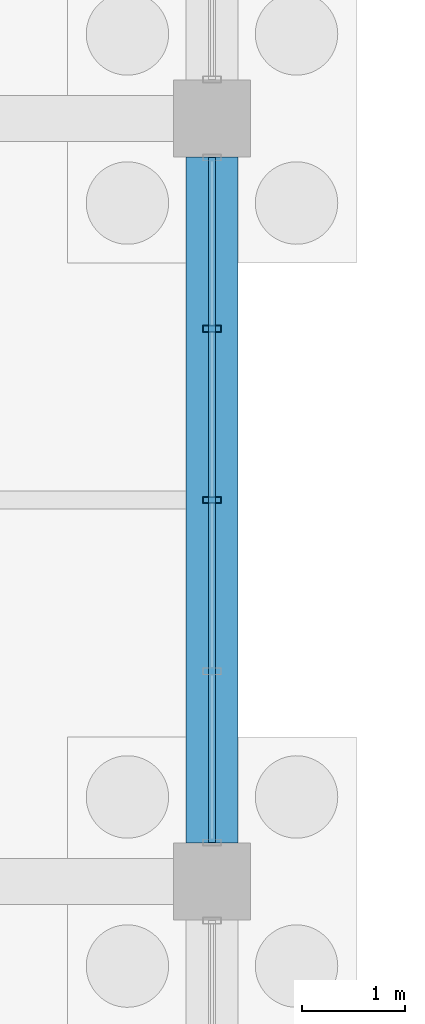
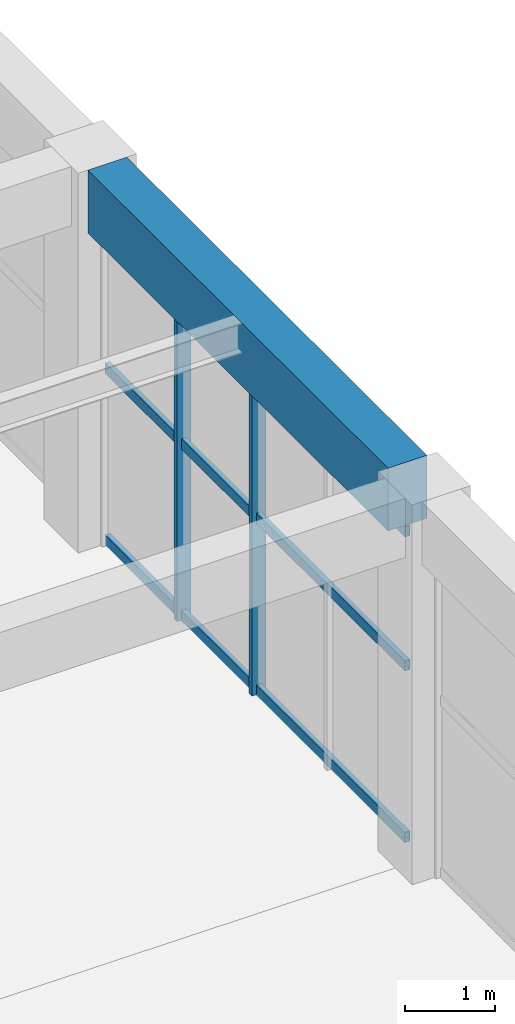
# One storey, part 64 of 140: 5 members, 1 beam, 1 element without a shape of its own.
"""IFC4 building model written with IfcOpenShell, lengths in metres."""

from ifc_helpers import new_model, si_unit, direction, frame, origin, origin_2d, place, context, subcontext, project, spatial, rectangle, hollow_rectangle, extrude, material, material_profile, profile_set, type_object, element, aggregate, save


model = new_model("IFC4")

# Units and contexts
model_context = context("Model", 3, precision=1e-05, world=origin(), true_north=direction((0.0, 1.0)))
body_context = subcontext(model_context, "Body", "Model", "MODEL_VIEW")
ifc_project = project(units=[si_unit("LENGTHUNIT", "METRE"), si_unit("AREAUNIT", "SQUARE_METRE"), si_unit("VOLUMEUNIT", "CUBIC_METRE"), si_unit("PLANEANGLEUNIT", "RADIAN"), si_unit("MASSUNIT", "GRAM", prefix="KILO")], contexts=[model_context])

# Site, building, storey
site_placement = place(None, origin())
site = spatial("IfcSite", under=ifc_project, at=site_placement, CompositionType="ELEMENT")
building_placement = place(site_placement, origin())
building = spatial("IfcBuilding", under=site, at=building_placement, Name="Cimatlan Art Gallery", CompositionType="ELEMENT")
storey_placement = place(building_placement, origin())
storey = spatial("IfcBuildingStorey", under=building, at=storey_placement, Name="L00", CompositionType="ELEMENT", Elevation=0.0)

# Beam
ifc_material_1 = material(Name="Concrete C40/50", Category="concrete")
ifc_material_profile_1 = material_profile(ifc_material_1, rectangle(XDim=0.5, YDim=0.85009765625, at=origin_2d()), Name="RC500X850")
ifc_profile_set_1 = profile_set([ifc_material_profile_1], Name="Concrete C40/50")
beam_type = type_object("IfcBeamType", Name="BM-RC-500X850", PredefinedType="BEAM", material=ifc_profile_set_1)
beam_placement = place(storey_placement, frame((50.60009765625, 76.074951171875, 4.7099609375), z_axis=(0.0, 1.0, 0.0), x_axis=(-1.0, 0.0, 0.0)))
element("IfcBeam", 1, at=beam_placement, inside=storey, type_object=beam_type, Name="BM-Y-L00-06-10", PredefinedType="BEAM", context=body_context, shape_type="SweptSolid", body=[
    extrude(rectangle(XDim=0.5, YDim=0.85009765625, at=origin_2d()), origin(), (0.0, 0.0, 1.0), 6.650146484375),
])

# Curtain wall, members
ifc_material_2 = material(Name="Anodised bronze unitised curtain wall")
curtain_wall_type = type_object("IfcCurtainWallType", Name="CW-V-06642X04255-B4", PredefinedType="NOTDEFINED", material=ifc_material_2)
curtain_wall_placement = place(storey_placement, origin())
curtain_wall = element("IfcCurtainWall", 2, at=curtain_wall_placement, inside=storey, type_object=curtain_wall_type, Name="CW-L00-05-10-E", PredefinedType="NOTDEFINED")
ifc_material_3 = material(Name="Anodised bronze aluminium 6063-T6", Category="aluminium")
ifc_material_profile_2 = material_profile(ifc_material_3, hollow_rectangle(XDim=0.06494140625, YDim=0.179931640625, WallThickness=0.00390625, at=origin_2d()), Name="ALU65X180X4")
ifc_profile_set_2 = profile_set([ifc_material_profile_2], Name="Anodised bronze aluminium 6063-T6")
member_type_1 = type_object("IfcMemberType", Name="CW-MUL-180", PredefinedType="MULLION", material=ifc_profile_set_2)
member_1_placement = place(storey_placement, frame((50.60009765625, 81.060546875, 0.0), z_axis=(0.0, 0.0, 1.0), x_axis=(0.0, 1.0, 0.0)))
member_1 = element("IfcMember", 3, at=member_1_placement, type_object=member_type_1, Name="CW-L00-05-10-E-M2", PredefinedType="MULLION", context=body_context, shape_type="SweptSolid", body=[
    extrude(hollow_rectangle(XDim=0.06494140625, YDim=0.179931640625, WallThickness=0.00390625, at=origin_2d()), origin(), (0.0, 0.0, 1.0), 4.2548828125),
])
member_2_placement = place(storey_placement, frame((50.60009765625, 79.39990234375, 0.0), z_axis=(0.0, 0.0, 1.0), x_axis=(0.0, 1.0, 0.0)))
member_2 = element("IfcMember", 4, at=member_2_placement, type_object=member_type_1, Name="CW-L00-05-10-E-M3", PredefinedType="MULLION", context=body_context, shape_type="SweptSolid", body=[
    extrude(hollow_rectangle(XDim=0.06494140625, YDim=0.179931640625, WallThickness=0.00390625, at=origin_2d()), origin(), (0.0, 0.0, 1.0), 4.2548828125),
])
ifc_material_profile_3 = material_profile(ifc_material_3, hollow_rectangle(XDim=0.06494140625, YDim=0.139892578125, WallThickness=0.00390625, at=origin_2d()), Name="ALU65X140X4")
ifc_profile_set_3 = profile_set([ifc_material_profile_3], Name="Anodised bronze aluminium 6063-T6")
member_type_2 = type_object("IfcMemberType", Name="CW-TRN-140", PredefinedType="USERDEFINED", material=ifc_profile_set_3)
member_3_placement = place(storey_placement, frame((50.60009765625, 82.720947265625, 0.06005859375), z_axis=(0.0, -1.0, 0.0), x_axis=(1.0, 0.0, 0.0)))
member_3 = element("IfcMember", 5, at=member_3_placement, type_object=member_type_2, Name="CW-L00-05-10-E-T1", ObjectType="TRANSOM", PredefinedType="USERDEFINED", context=body_context, shape_type="SweptSolid", body=[
    extrude(hollow_rectangle(XDim=0.06494140625, YDim=0.139892578125, WallThickness=0.00390625, at=origin_2d()), origin(), (0.0, 0.0, 1.0), 6.641845703125),
])
member_4_placement = place(storey_placement, frame((50.60009765625, 82.720947265625, 2.3828125), z_axis=(0.0, -1.0, 0.0), x_axis=(1.0, 0.0, 0.0)))
member_4 = element("IfcMember", 6, at=member_4_placement, type_object=member_type_2, Name="CW-L00-05-10-E-T2", ObjectType="TRANSOM", PredefinedType="USERDEFINED", context=body_context, shape_type="SweptSolid", body=[
    extrude(hollow_rectangle(XDim=0.06494140625, YDim=0.139892578125, WallThickness=0.00390625, at=origin_2d()), origin(), (0.0, 0.0, 1.0), 6.641845703125),
])
member_5_placement = place(storey_placement, frame((50.60009765625, 82.720947265625, 4.195068359375), z_axis=(0.0, -1.0, 0.0), x_axis=(1.0, 0.0, 0.0)))
member_5 = element("IfcMember", 7, at=member_5_placement, type_object=member_type_2, Name="CW-L00-05-10-E-T3", ObjectType="TRANSOM", PredefinedType="USERDEFINED", context=body_context, shape_type="SweptSolid", body=[
    extrude(hollow_rectangle(XDim=0.06494140625, YDim=0.139892578125, WallThickness=0.00390625, at=origin_2d()), origin(), (0.0, 0.0, 1.0), 6.641845703125),
])
aggregate(curtain_wall, [member_1, member_2, member_3, member_4, member_5])

save(model, "model.ifc")
